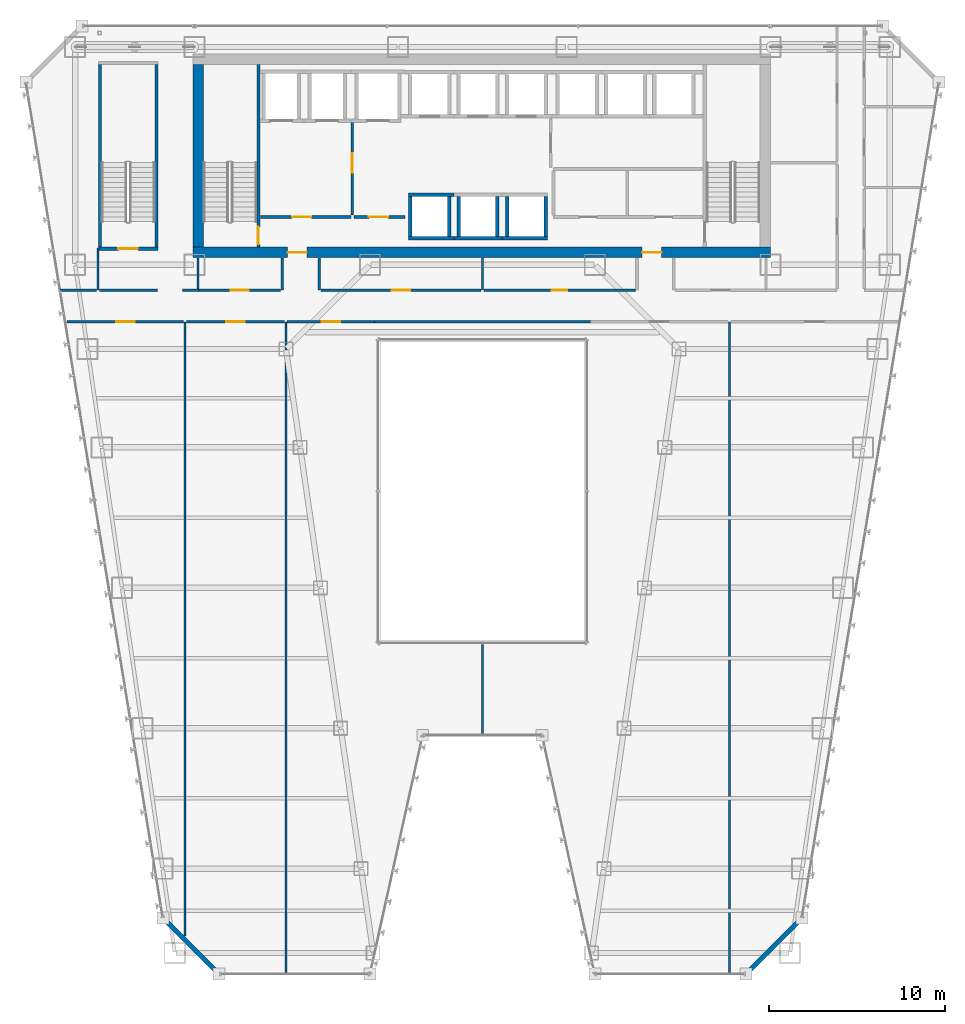
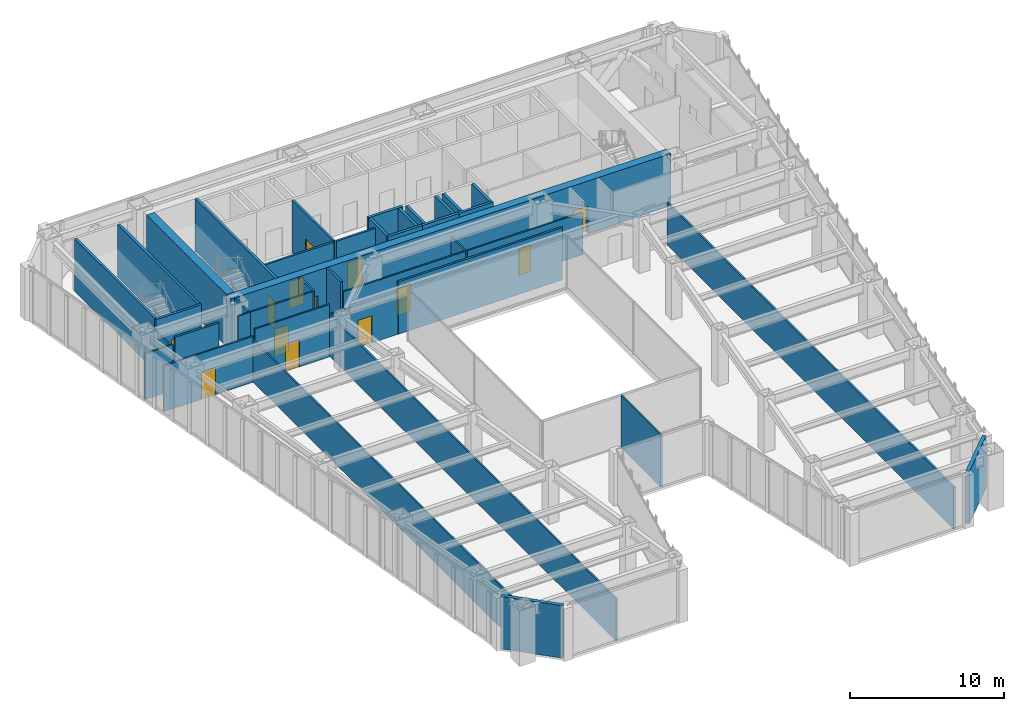
# One storey, part 36 of 47: 40 walls, 13 doors, 13 openings.
"""IFC4 building model written with IfcOpenShell, lengths in metres."""

from ifc_helpers import new_model, si_unit, direction, frame, frame_2d, origin, place, context, subcontext, project, spatial, rectangle, extrude, material, layer, layer_set, type_object, element, fill, save


model = new_model("IFC4")

# Units and contexts
model_context = context("Model", 3, precision=1e-05, world=origin(), true_north=direction((0.0, 1.0)))
body_context = subcontext(model_context, "Body", "Model", "MODEL_VIEW")
ifc_project = project(units=[si_unit("LENGTHUNIT", "METRE"), si_unit("AREAUNIT", "SQUARE_METRE"), si_unit("VOLUMEUNIT", "CUBIC_METRE"), si_unit("PLANEANGLEUNIT", "RADIAN"), si_unit("MASSUNIT", "GRAM", prefix="KILO")], contexts=[model_context])

# Site, building, storey
site_placement = place(None, origin())
site = spatial("IfcSite", under=ifc_project, at=site_placement, CompositionType="ELEMENT")
building_placement = place(site_placement, origin())
building = spatial("IfcBuilding", under=site, at=building_placement, Name="Saevonmaru Cultural Tower", CompositionType="ELEMENT")
storey_placement = place(building_placement, frame((0.0, 0.0, 51.60009765625)))
storey = spatial("IfcBuildingStorey", under=building, at=storey_placement, Name="L10", CompositionType="ELEMENT", Elevation=51.60009765625)

# Wall, openings, doors
ifc_material_1 = material(Name="Concrete C60/75", Category="concrete")
ifc_layer_1 = layer(ifc_material_1, 0.60009765625, Name="Concrete C60/75")
ifc_layer_set_1 = layer_set([ifc_layer_1], Name="Concrete C60/75")
wall_type_1 = type_object("IfcWallType", Name="WL-CORE-600", PredefinedType="SHEAR", material=ifc_layer_set_1)
wall_1_placement = place(storey_placement, frame((13.5, 43.10009765625, 0.0), z_axis=(0.0, 0.0, 1.0), x_axis=(1.0, 0.0, 0.0)))
wall_1 = element("IfcWall", 1, at=wall_1_placement, inside=storey, type_object=wall_type_1, Name="L10 Tower RC core shear wall S", PredefinedType="SHEAR", context=body_context, shape_type="SweptSolid", body=[
    extrude(rectangle(XDim=32.89990234375, YDim=0.60009765625, at=frame_2d((16.449951171875, 0.0))), origin(), (0.0, 0.0, 1.0), 4.14990234375),
])
opening_1_placement = place(wall_1_placement, frame((5.39990234375, 0.0, 0.0)))
opening_1 = element("IfcOpeningElement", 2, at=opening_1_placement, cuts=wall_1, Name="Opening FD-2", PredefinedType="OPENING", context=body_context, shape_type="SweptSolid", body=[
    extrude(rectangle(XDim=1.10009765625, YDim=2.14990234375, at=frame_2d((0.550048828125, 1.074951171875))), frame((0.0, 0.31005859375, 0.0), z_axis=(0.0, -1.0, 0.0), x_axis=(1.0, 0.0, 0.0)), (0.0, 0.0, 1.0), 0.6201171875),
])
opening_2_placement = place(wall_1_placement, frame((25.60009765625, 0.0, 0.0)))
opening_2 = element("IfcOpeningElement", 3, at=opening_2_placement, cuts=wall_1, Name="Opening FD-2", PredefinedType="OPENING", context=body_context, shape_type="SweptSolid", body=[
    extrude(rectangle(XDim=1.10009765625, YDim=2.14990234375, at=frame_2d((0.550048828125, 1.074951171875))), frame((0.0, 0.31005859375, 0.0), z_axis=(0.0, -1.0, 0.0), x_axis=(1.0, 0.0, 0.0)), (0.0, 0.0, 1.0), 0.6201171875),
])
ifc_material_2 = material(Name="Satin Bronze Anodised Aluminium", Category="aluminium")
door_type_1 = type_object("IfcDoorType", Name="DR-FD60-1100", OperationType="SINGLE_SWING_LEFT", PredefinedType="DOOR", material=ifc_material_2)
door_1_placement = place(opening_1_placement, origin())
door_1 = element("IfcDoor", 4, at=door_1_placement, inside=storey, type_object=door_type_1, Name="L10 Core West Lobby Fire Door", OperationType="SINGLE_SWING_LEFT", OverallHeight=2.14990234375, OverallWidth=1.10009765625, PredefinedType="DOOR", context=body_context, shape_type="SweptSolid", body=[
    extrude(rectangle(XDim=1.10009765625, YDim=2.14990234375, at=frame_2d((0.550048828125, 1.074951171875))), frame((0.0, 0.02490234375, 0.0), z_axis=(0.0, -1.0, 0.0), x_axis=(1.0, 0.0, 0.0)), (0.0, 0.0, 1.0), 0.050048828125),
])
fill(opening_1, door_1)
door_2_placement = place(opening_2_placement, origin())
door_2 = element("IfcDoor", 5, at=door_2_placement, inside=storey, type_object=door_type_1, Name="L10 Core East Lobby Fire Door", OperationType="SINGLE_SWING_LEFT", OverallHeight=2.14990234375, OverallWidth=1.10009765625, PredefinedType="DOOR", context=body_context, shape_type="SweptSolid", body=[
    extrude(rectangle(XDim=1.10009765625, YDim=2.14990234375, at=frame_2d((0.550048828125, 1.074951171875))), frame((0.0, 0.02490234375, 0.0), z_axis=(0.0, -1.0, 0.0), x_axis=(1.0, 0.0, 0.0)), (0.0, 0.0, 1.0), 0.050048828125),
])
fill(opening_2, door_2)

# Wall
wall_2_placement = place(storey_placement, frame((13.800048828125, 43.39990234375, 0.0), z_axis=(0.0, 0.0, 1.0), x_axis=(0.0, 1.0, 0.0)))
element("IfcWall", 6, at=wall_2_placement, inside=storey, type_object=wall_type_1, Name="L10 Tower RC core shear wall W", PredefinedType="SHEAR", context=body_context, shape_type="SweptSolid", body=[
    extrude(rectangle(XDim=10.400146484375, YDim=0.60009765625, at=frame_2d((5.2001953125, 0.0))), origin(), (0.0, 0.0, 1.0), 4.14990234375),
])

# Wall, opening, door
ifc_material_3 = material(Name="Gypsum Fireboard Partition", Category="gypsum")
ifc_layer_2 = layer(ifc_material_3, 0.14990234375, Name="Gypsum Fireboard Partition")
ifc_layer_set_2 = layer_set([ifc_layer_2], Name="Gypsum Fireboard Partition")
wall_type_2 = type_object("IfcWallType", Name="WL-CORE-PART-150", PredefinedType="PARTITIONING", material=ifc_layer_set_2)
wall_3_placement = place(storey_placement, frame((17.360107421875, 45.1201171875, 0.0), z_axis=(0.0, 0.0, 1.0), x_axis=(1.0, 0.0, 0.0)))
wall_3 = element("IfcWall", 7, at=wall_3_placement, inside=storey, type_object=wall_type_2, Name="L10 Firefighting Lift Lobby South Wall", PredefinedType="PARTITIONING", context=body_context, shape_type="SweptSolid", body=[
    extrude(rectangle(XDim=5.139892578125, YDim=0.14990234375, at=frame_2d((2.56982421875, 0.0))), origin(), (0.0, 0.0, 1.0), 4.14990234375),
])
opening_3_placement = place(wall_3_placement, frame((1.800048828125, 0.0, 0.0)))
opening_3 = element("IfcOpeningElement", 8, at=opening_3_placement, cuts=wall_3, Name="Opening FD-2", PredefinedType="OPENING", context=body_context, shape_type="SweptSolid", body=[
    extrude(rectangle(XDim=1.10009765625, YDim=2.14990234375, at=frame_2d((0.550048828125, 1.074951171875))), frame((0.0, 0.0849609375, 0.0), z_axis=(0.0, -1.0, 0.0), x_axis=(1.0, 0.0, 0.0)), (0.0, 0.0, 1.0), 0.169921875),
])
door_3_placement = place(opening_3_placement, origin())
door_3 = element("IfcDoor", 9, at=door_3_placement, inside=storey, type_object=door_type_1, Name="L10 Firefighting Lift Lobby South Door", OperationType="SINGLE_SWING_LEFT", OverallHeight=2.14990234375, OverallWidth=1.10009765625, PredefinedType="DOOR", context=body_context, shape_type="SweptSolid", body=[
    extrude(rectangle(XDim=1.10009765625, YDim=2.14990234375, at=frame_2d((0.550048828125, 1.074951171875))), frame((0.0, 0.02490234375, 0.0), z_axis=(0.0, -1.0, 0.0), x_axis=(1.0, 0.0, 0.0)), (0.0, 0.0, 1.0), 0.050048828125),
])
fill(opening_3, door_3)

wall_4_placement = place(storey_placement, frame((22.580078125, 50.550048828125, 0.0), z_axis=(0.0, 0.0, 1.0), x_axis=(0.0, -1.0, 0.0)))
wall_4 = element("IfcWall", 10, at=wall_4_placement, inside=storey, type_object=wall_type_2, Name="L10 Firefighting Lift Lobby East Wall", PredefinedType="PARTITIONING", context=body_context, shape_type="SweptSolid", body=[
    extrude(rectangle(XDim=5.330078125, YDim=0.14990234375, at=frame_2d((2.6650390625, 0.0))), origin(), (0.0, 0.0, 1.0), 4.14990234375),
])
opening_4_placement = place(wall_4_placement, frame((1.800048828125, 0.0, 0.0)))
opening_4 = element("IfcOpeningElement", 11, at=opening_4_placement, cuts=wall_4, Name="Opening FD-2", PredefinedType="OPENING", context=body_context, shape_type="SweptSolid", body=[
    extrude(rectangle(XDim=1.10009765625, YDim=2.14990234375, at=frame_2d((0.550048828125, 1.074951171875))), frame((0.0, 0.0849609375, 0.0), z_axis=(0.0, -1.0, 0.0), x_axis=(1.0, 0.0, 0.0)), (0.0, 0.0, 1.0), 0.169921875),
])
door_4_placement = place(opening_4_placement, origin())
door_4 = element("IfcDoor", 12, at=door_4_placement, inside=storey, type_object=door_type_1, Name="L10 Firefighting Lift Lobby East Door", OperationType="SINGLE_SWING_LEFT", OverallHeight=2.14990234375, OverallWidth=1.10009765625, PredefinedType="DOOR", context=body_context, shape_type="SweptSolid", body=[
    extrude(rectangle(XDim=1.10009765625, YDim=2.14990234375, at=frame_2d((0.550048828125, 1.074951171875))), frame((0.0, 0.02490234375, 0.0), z_axis=(0.0, -1.0, 0.0), x_axis=(1.0, 0.0, 0.0)), (0.0, 0.0, 1.0), 0.050048828125),
])
fill(opening_4, door_4)

wall_5_placement = place(storey_placement, frame((22.679931640625, 45.1201171875, 0.0), z_axis=(0.0, 0.0, 1.0), x_axis=(1.0, 0.0, 0.0)))
wall_5 = element("IfcWall", 13, at=wall_5_placement, inside=storey, type_object=wall_type_2, Name="L10 Service Lift Vestibule Wall", PredefinedType="PARTITIONING", context=body_context, shape_type="SweptSolid", body=[
    extrude(rectangle(XDim=2.920166015625, YDim=0.14990234375, at=frame_2d((1.4599609375, 0.0))), origin(), (0.0, 0.0, 1.0), 4.14990234375),
])
opening_5_placement = place(wall_5_placement, frame((0.85009765625, 0.0, 0.0)))
opening_5 = element("IfcOpeningElement", 14, at=opening_5_placement, cuts=wall_5, Name="Opening FD-2", PredefinedType="OPENING", context=body_context, shape_type="SweptSolid", body=[
    extrude(rectangle(XDim=1.10009765625, YDim=2.14990234375, at=frame_2d((0.550048828125, 1.074951171875))), frame((0.0, 0.0849609375, 0.0), z_axis=(0.0, -1.0, 0.0), x_axis=(1.0, 0.0, 0.0)), (0.0, 0.0, 1.0), 0.169921875),
])
door_5_placement = place(opening_5_placement, origin())
door_5 = element("IfcDoor", 15, at=door_5_placement, inside=storey, type_object=door_type_1, Name="L10 Service Lift Vestibule Door", OperationType="SINGLE_SWING_LEFT", OverallHeight=2.14990234375, OverallWidth=1.10009765625, PredefinedType="DOOR", context=body_context, shape_type="SweptSolid", body=[
    extrude(rectangle(XDim=1.10009765625, YDim=2.14990234375, at=frame_2d((0.550048828125, 1.074951171875))), frame((0.0, 0.02490234375, 0.0), z_axis=(0.0, -1.0, 0.0), x_axis=(1.0, 0.0, 0.0)), (0.0, 0.0, 1.0), 0.050048828125),
])
fill(opening_5, door_5)

# Walls
ifc_material_4 = material(Name="Granite-Clad Precast Concrete C40/50", Category="masonry")
ifc_layer_3 = layer(ifc_material_4, 0.260009765625, Name="Granite-Clad Precast Concrete C40/50")
ifc_layer_set_3 = layer_set([ifc_layer_3], Name="Granite-Clad Precast Concrete C40/50")
wall_type_3 = type_object("IfcWallType", Name="WL-EXT-SPANDREL-260", PredefinedType="STANDARD", material=ifc_layer_set_3)
for number, where, z_axis, x_axis, name in (
    (16, (11.9130859375, 5.0869140625, 0.0), (0.0, 0.0, 1.0), (0.707106781187, -0.707106781187, 0.0), "L10 Chamfer Corner Spandrel Wall E1"),
    (17, (45.113037109375, 2.113037109375, 0.0), (0.0, 0.0, 1.0), (0.707106781187, 0.707106781187, 0.0), "L10 Chamfer Corner Spandrel Wall E7"),
):
    element("IfcWall", number, at=place(storey_placement, frame(where, z_axis=z_axis, x_axis=x_axis)), inside=storey, type_object=wall_type_3, Name=name, PredefinedType="STANDARD", context=body_context, shape_type="SweptSolid", body=[
        extrude(rectangle(XDim=4.205810546875, YDim=0.260009765625, at=frame_2d((2.10302734375, 0.0))), origin(), (0.0, 0.0, 1.0), 4.14990234375),
    ])
ifc_layer_4 = layer(ifc_material_3, 0.14990234375, Name="Gypsum Fireboard Partition")
ifc_layer_set_4 = layer_set([ifc_layer_4], Name="Gypsum Fireboard Partition")
wall_type_4 = type_object("IfcWallType", Name="WL-PART-FIRE-150", PredefinedType="PARTITIONING", material=ifc_layer_set_4)
wall_6_placement = place(storey_placement, frame((8.179931640625, 40.949951171875, 0.0), z_axis=(0.0, 0.0, 1.0), x_axis=(1.0, 0.0, 0.0)))
element("IfcWall", 18, at=wall_6_placement, inside=storey, type_object=wall_type_4, Name="L10 Stair ST-3 South Vestibule Wall", PredefinedType="PARTITIONING", context=body_context, shape_type="SweptSolid", body=[
    extrude(rectangle(XDim=3.300048828125, YDim=0.14990234375, at=frame_2d((1.64990234375, 0.0))), origin(), (0.0, 0.0, 1.0), 4.14990234375),
])
for number, where, z_axis, x_axis, name in (
    (19, (18.60009765625, 40.949951171875, 0.0), (0.0, 0.0, 1.0), (0.0, 1.0, 0.0), "L10 Core Portal Side Wall W1"),
    (20, (20.699951171875, 40.949951171875, 0.0), (0.0, 0.0, 1.0), (0.0, 1.0, 0.0), "L10 Core Portal Side Wall W2"),
):
    element("IfcWall", number, at=place(storey_placement, frame(where, z_axis=z_axis, x_axis=x_axis)), inside=storey, type_object=wall_type_4, Name=name, PredefinedType="PARTITIONING", context=body_context, shape_type="SweptSolid", body=[
        extrude(rectangle(XDim=1.830078125, YDim=0.14990234375, at=frame_2d((0.9150390625, 0.0))), origin(), (0.0, 0.0, 1.0), 4.14990234375),
    ])
wall_7_placement = place(storey_placement, frame((23.85009765625, 39.14990234375, 0.0), z_axis=(0.0, 0.0, 1.0), x_axis=(1.0, 0.0, 0.0)))
element("IfcWall", 21, at=wall_7_placement, inside=storey, type_object=wall_type_4, Name="L10 North Atrium Corridor Wall", PredefinedType="PARTITIONING", context=body_context, shape_type="SweptSolid", body=[
    extrude(rectangle(XDim=12.2998046875, YDim=0.14990234375, at=frame_2d((6.14990234375, 0.0))), origin(), (0.0, 0.0, 1.0), 4.14990234375),
])
ifc_layer_5 = layer(ifc_material_3, 0.1201171875, Name="Gypsum Fireboard Partition")
ifc_layer_set_5 = layer_set([ifc_layer_5], Name="Gypsum Fireboard Partition")
wall_type_5 = type_object("IfcWallType", Name="WL-PART-GYP-120", PredefinedType="PARTITIONING", material=ifc_layer_set_5)
wall_8_placement = place(storey_placement, frame((12.919921875, 40.949951171875, 0.0), z_axis=(0.0, 0.0, 1.0), x_axis=(1.0, 0.0, 0.0)))
element("IfcWall", 22, at=wall_8_placement, inside=storey, type_object=wall_type_5, Name="L10 NW Inner South Wall", PredefinedType="PARTITIONING", context=body_context, shape_type="SweptSolid", body=[
    extrude(rectangle(XDim=0.93017578125, YDim=0.1201171875, at=frame_2d((0.465087890625, 0.0))), origin(), (0.0, 0.0, 1.0), 4.14990234375),
])
wall_9_placement = place(storey_placement, frame((13.800048828125, 41.030029296875, 0.0), z_axis=(0.0, 0.0, 1.0), x_axis=(0.0, 1.0, 0.0)))
element("IfcWall", 23, at=wall_9_placement, inside=storey, type_object=wall_type_5, Name="L10 NW Inner Core Return", PredefinedType="PARTITIONING", context=body_context, shape_type="SweptSolid", body=[
    extrude(rectangle(XDim=1.75, YDim=0.1201171875, at=frame_2d((0.875, 0.0))), origin(), (0.0, 0.0, 1.0), 4.14990234375),
])
wall_10_placement = place(storey_placement, frame((8.10009765625, 40.949951171875, 0.0), z_axis=(0.0, 0.0, 1.0), x_axis=(0.0, 1.0, 0.0)))
element("IfcWall", 24, at=wall_10_placement, inside=storey, type_object=wall_type_5, Name="L10 NW Stair Return", PredefinedType="PARTITIONING", context=body_context, shape_type="SweptSolid", body=[
    extrude(rectangle(XDim=2.400146484375, YDim=0.1201171875, at=frame_2d((1.2001953125, 0.0))), origin(), (0.0, 0.0, 1.0), 3.3349609375),
])
wall_11_placement = place(storey_placement, frame((5.947021484375, 40.949951171875, 0.0), z_axis=(0.0, 0.0, 1.0), x_axis=(1.0, 0.0, 0.0)))
element("IfcWall", 25, at=wall_11_placement, inside=storey, type_object=wall_type_5, Name="L10 Cartographic Study Library Corridor Wall", PredefinedType="PARTITIONING", context=body_context, shape_type="SweptSolid", body=[
    extrude(rectangle(XDim=2.072998046875, YDim=0.1201171875, at=frame_2d((1.03662109375, 0.0))), origin(), (0.0, 0.0, 1.0), 3.635009765625),
])

# Wall, opening, door
wall_12_placement = place(storey_placement, frame((13.85009765625, 40.949951171875, 0.0), z_axis=(0.0, 0.0, 1.0), x_axis=(1.0, 0.0, 0.0)))
wall_12 = element("IfcWall", 26, at=wall_12_placement, inside=storey, type_object=wall_type_5, Name="L10 Rare Manuscript Reading Room Corridor Wall", PredefinedType="PARTITIONING", context=body_context, shape_type="SweptSolid", body=[
    extrude(rectangle(XDim=4.65478515625, YDim=0.1201171875, at=frame_2d((2.327392578125, 0.0))), origin(), (0.0, 0.0, 1.0), 4.14990234375),
])
opening_6_placement = place(wall_12_placement, frame((1.802001953125, 0.0, 0.0)))
opening_6 = element("IfcOpeningElement", 27, at=opening_6_placement, cuts=wall_12, Name="Opening ID-1", PredefinedType="OPENING", context=body_context, shape_type="SweptSolid", body=[
    extrude(rectangle(XDim=1.050048828125, YDim=2.14990234375, at=frame_2d((0.52490234375, 1.074951171875))), frame((0.0, 0.070068359375, 0.0), z_axis=(0.0, -1.0, 0.0), x_axis=(1.0, 0.0, 0.0)), (0.0, 0.0, 1.0), 0.14013671875),
])
door_type_2 = type_object("IfcDoorType", Name="DR-INT-1050", OperationType="SINGLE_SWING_LEFT", PredefinedType="DOOR", material=ifc_material_2)
door_6_placement = place(opening_6_placement, origin())
door_6 = element("IfcDoor", 28, at=door_6_placement, inside=storey, type_object=door_type_2, Name="L10 Rare Manuscript Reading Room Door", OperationType="SINGLE_SWING_LEFT", OverallHeight=2.14990234375, OverallWidth=1.050048828125, PredefinedType="DOOR", context=body_context, shape_type="SweptSolid", body=[
    extrude(rectangle(XDim=1.050048828125, YDim=2.14990234375, at=frame_2d((0.52490234375, 1.074951171875))), frame((0.0, 0.02490234375, 0.0), z_axis=(0.0, -1.0, 0.0), x_axis=(1.0, 0.0, 0.0)), (0.0, 0.0, 1.0), 0.050048828125),
])
fill(opening_6, door_6)

# Wall
wall_13_placement = place(storey_placement, frame((30.0, 40.949951171875, 0.0), z_axis=(0.0, 0.0, 1.0), x_axis=(0.0, 1.0, 0.0)))
element("IfcWall", 29, at=wall_13_placement, inside=storey, type_object=wall_type_5, Name="L10 Spine Alcove Split", PredefinedType="PARTITIONING", context=body_context, shape_type="SweptSolid", body=[
    extrude(rectangle(XDim=1.830078125, YDim=0.1201171875, at=frame_2d((0.9150390625, 0.0))), origin(), (0.0, 0.0, 1.0), 3.3349609375),
])

# Wall, opening, door
wall_14_placement = place(storey_placement, frame((20.794921875, 40.949951171875, 0.0), z_axis=(0.0, 0.0, 1.0), x_axis=(1.0, 0.0, 0.0)))
wall_14 = element("IfcWall", 30, at=wall_14_placement, inside=storey, type_object=wall_type_5, Name="L10 Rare Manuscript Reading Room Corridor Wall", PredefinedType="PARTITIONING", context=body_context, shape_type="SweptSolid", body=[
    extrude(rectangle(XDim=9.125, YDim=0.1201171875, at=frame_2d((4.5625, 0.0))), origin(), (0.0, 0.0, 1.0), 3.3349609375),
])
opening_7_placement = place(wall_14_placement, frame((4.037109375, 0.0, 0.0)))
opening_7 = element("IfcOpeningElement", 31, at=opening_7_placement, cuts=wall_14, Name="Opening ID-1", PredefinedType="OPENING", context=body_context, shape_type="SweptSolid", body=[
    extrude(rectangle(XDim=1.050048828125, YDim=2.14990234375, at=frame_2d((0.52490234375, 1.074951171875))), frame((0.0, 0.070068359375, 0.0), z_axis=(0.0, -1.0, 0.0), x_axis=(1.0, 0.0, 0.0)), (0.0, 0.0, 1.0), 0.14013671875),
])
door_7_placement = place(opening_7_placement, origin())
door_7 = element("IfcDoor", 32, at=door_7_placement, inside=storey, type_object=door_type_2, Name="L10 Rare Manuscript Reading Room Door", OperationType="SINGLE_SWING_RIGHT", OverallHeight=2.14990234375, OverallWidth=1.050048828125, PredefinedType="DOOR", context=body_context, shape_type="SweptSolid", body=[
    extrude(rectangle(XDim=1.050048828125, YDim=2.14990234375, at=frame_2d((0.52490234375, 1.074951171875))), frame((0.0, 0.02490234375, 0.0), z_axis=(0.0, -1.0, 0.0), x_axis=(1.0, 0.0, 0.0)), (0.0, 0.0, 1.0), 0.050048828125),
])
fill(opening_7, door_7)

wall_15_placement = place(storey_placement, frame((30.080078125, 40.949951171875, 0.0), z_axis=(0.0, 0.0, 1.0), x_axis=(1.0, 0.0, 0.0)))
wall_15 = element("IfcWall", 33, at=wall_15_placement, inside=storey, type_object=wall_type_5, Name="L10 Scholarly Colloquium Meeting Room Corridor Wall", PredefinedType="PARTITIONING", context=body_context, shape_type="SweptSolid", body=[
    extrude(rectangle(XDim=8.625, YDim=0.1201171875, at=frame_2d((4.3125, 0.0))), origin(), (0.0, 0.0, 1.0), 3.3349609375),
])
opening_8_placement = place(wall_15_placement, frame((3.862060546875, 0.0, 0.0)))
opening_8 = element("IfcOpeningElement", 34, at=opening_8_placement, cuts=wall_15, Name="Opening ID-2", PredefinedType="OPENING", context=body_context, shape_type="SweptSolid", body=[
    extrude(rectangle(XDim=0.89990234375, YDim=2.10009765625, at=frame_2d((0.449951171875, 1.050048828125))), frame((0.0, 0.070068359375, 0.0), z_axis=(0.0, -1.0, 0.0), x_axis=(1.0, 0.0, 0.0)), (0.0, 0.0, 1.0), 0.14013671875),
])
ifc_material_5 = material(Name="Acoustic Stained Oak Timber", Category="wood")
door_type_3 = type_object("IfcDoorType", Name="DR-INT-900", OperationType="SINGLE_SWING_RIGHT", PredefinedType="DOOR", material=ifc_material_5)
door_8_placement = place(opening_8_placement, origin())
door_8 = element("IfcDoor", 35, at=door_8_placement, inside=storey, type_object=door_type_3, Name="L10 Scholarly Colloquium Meeting Room Door", OperationType="SINGLE_SWING_LEFT", OverallHeight=2.10009765625, OverallWidth=0.89990234375, PredefinedType="DOOR", context=body_context, shape_type="SweptSolid", body=[
    extrude(rectangle(XDim=0.89990234375, YDim=2.10009765625, at=frame_2d((0.449951171875, 1.050048828125))), frame((0.0, 0.02490234375, 0.0), z_axis=(0.0, -1.0, 0.0), x_axis=(1.0, 0.0, 0.0)), (0.0, 0.0, 1.0), 0.050048828125),
])
fill(opening_8, door_8)

# Walls
wall_16_placement = place(storey_placement, frame((13.06005859375, 4.152099609375, 0.0), z_axis=(0.0, 0.0, 1.0), x_axis=(0.0, 1.0, 0.0)))
element("IfcWall", 36, at=wall_16_placement, inside=storey, type_object=wall_type_5, Name="L10 West Bay Divider 1", PredefinedType="PARTITIONING", context=body_context, shape_type="SweptSolid", body=[
    extrude(rectangle(XDim=34.997802734375, YDim=0.1201171875, at=frame_2d((17.4990234375, 0.0))), origin(), (0.0, 0.0, 1.0), 3.3349609375),
])
wall_17_placement = place(storey_placement, frame((18.800048828125, 2.0048828125, 0.0), z_axis=(0.0, 0.0, 1.0), x_axis=(0.0, 1.0, 0.0)))
element("IfcWall", 37, at=wall_17_placement, inside=storey, type_object=wall_type_5, Name="L10 West Bay Divider 2", PredefinedType="PARTITIONING", context=body_context, shape_type="SweptSolid", body=[
    extrude(rectangle(XDim=37.14501953125, YDim=0.1201171875, at=frame_2d((18.572509765625, 0.0))), origin(), (0.0, 0.0, 1.0), 3.3349609375),
])
wall_18_placement = place(storey_placement, frame((30.0, 15.60498046875, 0.0), z_axis=(0.0, 0.0, 1.0), x_axis=(0.0, 1.0, 0.0)))
element("IfcWall", 38, at=wall_18_placement, inside=storey, type_object=wall_type_5, Name="L10 South Atrium Center Split", PredefinedType="PARTITIONING", context=body_context, shape_type="SweptSolid", body=[
    extrude(rectangle(XDim=5.175048828125, YDim=0.1201171875, at=frame_2d((2.58740234375, 0.0))), origin(), (0.0, 0.0, 1.0), 4.14990234375),
])

# Wall, opening, door
wall_19_placement = place(storey_placement, frame((6.333984375, 39.14990234375, 0.0), z_axis=(0.0, 0.0, 1.0), x_axis=(1.0, 0.0, 0.0)))
wall_19 = element("IfcWall", 39, at=wall_19_placement, inside=storey, type_object=wall_type_5, Name="L10 Rare Manuscript Reading Room Corridor Wall", PredefinedType="PARTITIONING", context=body_context, shape_type="SweptSolid", body=[
    extrude(rectangle(XDim=6.64599609375, YDim=0.1201171875, at=frame_2d((3.322998046875, 0.0))), origin(), (0.0, 0.0, 1.0), 3.635009765625),
])
opening_9_placement = place(wall_19_placement, frame((2.798095703125, 0.0, 0.0)))
opening_9 = element("IfcOpeningElement", 40, at=opening_9_placement, cuts=wall_19, Name="Opening ID-1", PredefinedType="OPENING", context=body_context, shape_type="SweptSolid", body=[
    extrude(rectangle(XDim=1.050048828125, YDim=2.14990234375, at=frame_2d((0.52490234375, 1.074951171875))), frame((0.0, 0.070068359375, 0.0), z_axis=(0.0, -1.0, 0.0), x_axis=(1.0, 0.0, 0.0)), (0.0, 0.0, 1.0), 0.14013671875),
])
door_9_placement = place(opening_9_placement, origin())
door_9 = element("IfcDoor", 41, at=door_9_placement, inside=storey, type_object=door_type_2, Name="L10 Rare Manuscript Reading Room Door", OperationType="SINGLE_SWING_LEFT", OverallHeight=2.14990234375, OverallWidth=1.050048828125, PredefinedType="DOOR", context=body_context, shape_type="SweptSolid", body=[
    extrude(rectangle(XDim=1.050048828125, YDim=2.14990234375, at=frame_2d((0.52490234375, 1.074951171875))), frame((0.0, 0.02490234375, 0.0), z_axis=(0.0, -1.0, 0.0), x_axis=(1.0, 0.0, 0.0)), (0.0, 0.0, 1.0), 0.050048828125),
])
fill(opening_9, door_9)

wall_20_placement = place(storey_placement, frame((13.139892578125, 39.14990234375, 0.0), z_axis=(0.0, 0.0, 1.0), x_axis=(1.0, 0.0, 0.0)))
wall_20 = element("IfcWall", 42, at=wall_20_placement, inside=storey, type_object=wall_type_5, Name="L10 Cartographic Study Library Corridor Wall", PredefinedType="PARTITIONING", context=body_context, shape_type="SweptSolid", body=[
    extrude(rectangle(XDim=5.580078125, YDim=0.1201171875, at=frame_2d((2.7900390625, 0.0))), origin(), (0.0, 0.0, 1.0), 4.14990234375),
])
opening_10_placement = place(wall_20_placement, frame((2.264892578125, 0.0, 0.0)))
opening_10 = element("IfcOpeningElement", 43, at=opening_10_placement, cuts=wall_20, Name="Opening ID-1", PredefinedType="OPENING", context=body_context, shape_type="SweptSolid", body=[
    extrude(rectangle(XDim=1.050048828125, YDim=2.14990234375, at=frame_2d((0.52490234375, 1.074951171875))), frame((0.0, 0.070068359375, 0.0), z_axis=(0.0, -1.0, 0.0), x_axis=(1.0, 0.0, 0.0)), (0.0, 0.0, 1.0), 0.14013671875),
])
door_10_placement = place(opening_10_placement, origin())
door_10 = element("IfcDoor", 44, at=door_10_placement, inside=storey, type_object=door_type_2, Name="L10 Cartographic Study Library Door", OperationType="SINGLE_SWING_RIGHT", OverallHeight=2.14990234375, OverallWidth=1.050048828125, PredefinedType="DOOR", context=body_context, shape_type="SweptSolid", body=[
    extrude(rectangle(XDim=1.050048828125, YDim=2.14990234375, at=frame_2d((0.52490234375, 1.074951171875))), frame((0.0, 0.02490234375, 0.0), z_axis=(0.0, -1.0, 0.0), x_axis=(1.0, 0.0, 0.0)), (0.0, 0.0, 1.0), 0.050048828125),
])
fill(opening_10, door_10)

wall_21_placement = place(storey_placement, frame((18.8798828125, 39.14990234375, 0.0), z_axis=(0.0, 0.0, 1.0), x_axis=(1.0, 0.0, 0.0)))
wall_21 = element("IfcWall", 45, at=wall_21_placement, inside=storey, type_object=wall_type_5, Name="L10 Periodical Reading Room Corridor Wall", PredefinedType="PARTITIONING", context=body_context, shape_type="SweptSolid", body=[
    extrude(rectangle(XDim=4.97021484375, YDim=0.1201171875, at=frame_2d((2.485107421875, 0.0))), origin(), (0.0, 0.0, 1.0), 3.3349609375),
])
opening_11_placement = place(wall_21_placement, frame((1.9599609375, 0.0, 0.0)))
opening_11 = element("IfcOpeningElement", 46, at=opening_11_placement, cuts=wall_21, Name="Opening ID-1", PredefinedType="OPENING", context=body_context, shape_type="SweptSolid", body=[
    extrude(rectangle(XDim=1.050048828125, YDim=2.14990234375, at=frame_2d((0.52490234375, 1.074951171875))), frame((0.0, 0.070068359375, 0.0), z_axis=(0.0, -1.0, 0.0), x_axis=(1.0, 0.0, 0.0)), (0.0, 0.0, 1.0), 0.14013671875),
])
door_11_placement = place(opening_11_placement, origin())
door_11 = element("IfcDoor", 47, at=door_11_placement, inside=storey, type_object=door_type_2, Name="L10 Periodical Reading Room Door", OperationType="SINGLE_SWING_LEFT", OverallHeight=2.14990234375, OverallWidth=1.050048828125, PredefinedType="DOOR", context=body_context, shape_type="SweptSolid", body=[
    extrude(rectangle(XDim=1.050048828125, YDim=2.14990234375, at=frame_2d((0.52490234375, 1.074951171875))), frame((0.0, 0.02490234375, 0.0), z_axis=(0.0, -1.0, 0.0), x_axis=(1.0, 0.0, 0.0)), (0.0, 0.0, 1.0), 0.050048828125),
])
fill(opening_11, door_11)

# Walls
ifc_layer_6 = layer(ifc_material_3, 0.135009765625, Name="Gypsum Fireboard Partition")
ifc_layer_set_6 = layer_set([ifc_layer_6], Name="Gypsum Fireboard Partition")
wall_type_6 = type_object("IfcWallType", Name="WL-PART-GYP-135", PredefinedType="PARTITIONING", material=ifc_layer_set_6)
wall_22_placement = place(storey_placement, frame((44.070068359375, 2.0048828125, 0.0), z_axis=(0.0, 0.0, 1.0), x_axis=(0.0, 1.0, 0.0)))
element("IfcWall", 48, at=wall_22_placement, inside=storey, type_object=wall_type_6, Name="L10 East Bay Divider 1", PredefinedType="PARTITIONING", context=body_context, shape_type="SweptSolid", body=[
    extrude(rectangle(XDim=37.14501953125, YDim=0.135009765625, at=frame_2d((18.572509765625, 0.0))), origin(), (0.0, 0.0, 1.0), 3.3349609375),
])
ifc_material_6 = material(Name="Concrete C40/50", Category="concrete")
ifc_layer_7 = layer(ifc_material_6, 0.199951171875, Name="Concrete C40/50")
ifc_layer_set_7 = layer_set([ifc_layer_7], Name="Concrete C40/50")
wall_type_7 = type_object("IfcWallType", Name="WL-SHAFT-200", PredefinedType="SHEAR", material=ifc_layer_set_7)
for number, where, z_axis, x_axis, name in (
    (49, (25.800048828125, 43.89990234375, 0.0), (0.0, 0.0, 1.0), (1.0, 0.0, 0.0), "L10 Lift PL-M1 Hoistway Wall S"),
    (50, (25.800048828125, 46.39990234375, 0.0), (0.0, 0.0, 1.0), (1.0, 0.0, 0.0), "L10 Lift PL-M1 Hoistway Wall N"),
):
    element("IfcWall", number, at=place(storey_placement, frame(where, z_axis=z_axis, x_axis=x_axis)), inside=storey, type_object=wall_type_7, Name=name, PredefinedType="SHEAR", context=body_context, shape_type="SweptSolid", body=[
        extrude(rectangle(XDim=2.574951171875, YDim=0.199951171875, at=frame_2d((1.28759765625, 0.0))), origin(), (0.0, 0.0, 1.0), 4.14990234375),
    ])
for number, where, z_axis, x_axis, name in (
    (51, (25.89990234375, 44.0, 0.0), (0.0, 0.0, 1.0), (0.0, 1.0, 0.0), "L10 Lift PL-M1 Hoistway Wall W"),
    (52, (28.10009765625, 44.0, 0.0), (0.0, 0.0, 1.0), (0.0, 1.0, 0.0), "L10 Lift PL-M1 Hoistway Wall E"),
):
    element("IfcWall", number, at=place(storey_placement, frame(where, z_axis=z_axis, x_axis=x_axis)), inside=storey, type_object=wall_type_7, Name=name, PredefinedType="SHEAR", context=body_context, shape_type="SweptSolid", body=[
        extrude(rectangle(XDim=2.300048828125, YDim=0.199951171875, at=frame_2d((1.14990234375, 0.0))), origin(), (0.0, 0.0, 1.0), 4.14990234375),
    ])
wall_23_placement = place(storey_placement, frame((28.375, 43.89990234375, 0.0), z_axis=(0.0, 0.0, 1.0), x_axis=(1.0, 0.0, 0.0)))
element("IfcWall", 53, at=wall_23_placement, inside=storey, type_object=wall_type_7, Name="L10 Lift PL-M2 Hoistway Wall S", PredefinedType="SHEAR", context=body_context, shape_type="SweptSolid", body=[
    extrude(rectangle(XDim=2.75, YDim=0.199951171875, at=frame_2d((1.375, 0.0))), origin(), (0.0, 0.0, 1.0), 4.14990234375),
])
for number, where, z_axis, x_axis, name in (
    (54, (28.64990234375, 44.0, 0.0), (0.0, 0.0, 1.0), (0.0, 1.0, 0.0), "L10 Lift PL-M2 Hoistway Wall W"),
    (55, (30.85009765625, 44.0, 0.0), (0.0, 0.0, 1.0), (0.0, 1.0, 0.0), "L10 Lift PL-M2 Hoistway Wall E"),
):
    element("IfcWall", number, at=place(storey_placement, frame(where, z_axis=z_axis, x_axis=x_axis)), inside=storey, type_object=wall_type_7, Name=name, PredefinedType="SHEAR", context=body_context, shape_type="SweptSolid", body=[
        extrude(rectangle(XDim=2.300048828125, YDim=0.199951171875, at=frame_2d((1.14990234375, 0.0))), origin(), (0.0, 0.0, 1.0), 4.14990234375),
    ])
wall_24_placement = place(storey_placement, frame((31.125, 43.89990234375, 0.0), z_axis=(0.0, 0.0, 1.0), x_axis=(1.0, 0.0, 0.0)))
element("IfcWall", 56, at=wall_24_placement, inside=storey, type_object=wall_type_7, Name="L10 Lift PL-M3 Hoistway Wall S", PredefinedType="SHEAR", context=body_context, shape_type="SweptSolid", body=[
    extrude(rectangle(XDim=2.574951171875, YDim=0.199951171875, at=frame_2d((1.28759765625, 0.0))), origin(), (0.0, 0.0, 1.0), 4.14990234375),
])
for number, where, z_axis, x_axis, name in (
    (57, (31.39990234375, 44.0, 0.0), (0.0, 0.0, 1.0), (0.0, 1.0, 0.0), "L10 Lift PL-M3 Hoistway Wall W"),
    (58, (33.60009765625, 44.0, 0.0), (0.0, 0.0, 1.0), (0.0, 1.0, 0.0), "L10 Lift PL-M3 Hoistway Wall E"),
):
    element("IfcWall", number, at=place(storey_placement, frame(where, z_axis=z_axis, x_axis=x_axis)), inside=storey, type_object=wall_type_7, Name=name, PredefinedType="SHEAR", context=body_context, shape_type="SweptSolid", body=[
        extrude(rectangle(XDim=2.300048828125, YDim=0.199951171875, at=frame_2d((1.14990234375, 0.0))), origin(), (0.0, 0.0, 1.0), 4.14990234375),
    ])

# Wall, opening, door
ifc_layer_8 = layer(ifc_material_6, 0.179931640625, Name="Concrete C40/50")
ifc_layer_set_8 = layer_set([ifc_layer_8], Name="Concrete C40/50")
wall_type_8 = type_object("IfcWallType", Name="WL-STSHAFT-180", PredefinedType="SHEAR", material=ifc_layer_set_8)
wall_25_placement = place(storey_placement, frame((17.239990234375, 43.39990234375, 0.0), z_axis=(0.0, 0.0, 1.0), x_axis=(0.0, 1.0, 0.0)))
wall_25 = element("IfcWall", 59, at=wall_25_placement, inside=storey, type_object=wall_type_8, Name="L10 Stair ST-1 Structural Shaft Wall 1", PredefinedType="SHEAR", context=body_context, shape_type="SweptSolid", body=[
    extrude(rectangle(XDim=10.400146484375, YDim=0.179931640625, at=frame_2d((5.2001953125, 0.0))), origin(), (0.0, 0.0, 1.0), 4.14990234375),
])
opening_12_placement = place(wall_25_placement, frame((0.159912109375, 0.0, 0.0)))
opening_12 = element("IfcOpeningElement", 60, at=opening_12_placement, cuts=wall_25, Name="Opening FD-3", PredefinedType="OPENING", context=body_context, shape_type="SweptSolid", body=[
    extrude(rectangle(XDim=1.0, YDim=2.14990234375, at=frame_2d((0.5, 1.074951171875))), frame((0.0, 0.10009765625, 0.0), z_axis=(0.0, -1.0, 0.0), x_axis=(1.0, 0.0, 0.0)), (0.0, 0.0, 1.0), 0.199951171875),
])
door_type_4 = type_object("IfcDoorType", Name="DR-FD60-1000", OperationType="SINGLE_SWING_RIGHT", PredefinedType="DOOR", material=ifc_material_2)
door_12_placement = place(opening_12_placement, origin())
door_12 = element("IfcDoor", 61, at=door_12_placement, inside=storey, type_object=door_type_4, Name="L10 Protected Stair ST-1 Fire Door", OperationType="SINGLE_SWING_RIGHT", OverallHeight=2.14990234375, OverallWidth=1.0, PredefinedType="DOOR", context=body_context, shape_type="SweptSolid", body=[
    extrude(rectangle(XDim=1.0, YDim=2.14990234375, at=frame_2d((0.5, 1.074951171875))), frame((0.0, 0.02490234375, 0.0), z_axis=(0.0, -1.0, 0.0), x_axis=(1.0, 0.0, 0.0)), (0.0, 0.0, 1.0), 0.050048828125),
])
fill(opening_12, door_12)

wall_26_placement = place(storey_placement, frame((8.1201171875, 43.31005859375, 0.0), z_axis=(0.0, 0.0, 1.0), x_axis=(1.0, 0.0, 0.0)))
wall_26 = element("IfcWall", 62, at=wall_26_placement, inside=storey, type_object=wall_type_8, Name="L10 Stair ST-3 Structural Shaft Wall 1", PredefinedType="SHEAR", context=body_context, shape_type="SweptSolid", body=[
    extrude(rectangle(XDim=3.409912109375, YDim=0.179931640625, at=frame_2d((1.705078125, 0.0))), origin(), (0.0, 0.0, 1.0), 4.14990234375),
])
opening_13_placement = place(wall_26_placement, frame((1.14990234375, 0.0, 0.0)))
opening_13 = element("IfcOpeningElement", 63, at=opening_13_placement, cuts=wall_26, Name="Opening FD-2", PredefinedType="OPENING", context=body_context, shape_type="SweptSolid", body=[
    extrude(rectangle(XDim=1.10009765625, YDim=2.14990234375, at=frame_2d((0.550048828125, 1.074951171875))), frame((0.0, 0.10009765625, 0.0), z_axis=(0.0, -1.0, 0.0), x_axis=(1.0, 0.0, 0.0)), (0.0, 0.0, 1.0), 0.199951171875),
])
door_13_placement = place(opening_13_placement, origin())
door_13 = element("IfcDoor", 64, at=door_13_placement, inside=storey, type_object=door_type_1, Name="L10 Protected Stair ST-3 Fire Door", OperationType="SINGLE_SWING_LEFT", OverallHeight=2.14990234375, OverallWidth=1.10009765625, PredefinedType="DOOR", context=body_context, shape_type="SweptSolid", body=[
    extrude(rectangle(XDim=1.10009765625, YDim=2.14990234375, at=frame_2d((0.550048828125, 1.074951171875))), frame((0.0, 0.02490234375, 0.0), z_axis=(0.0, -1.0, 0.0), x_axis=(1.0, 0.0, 0.0)), (0.0, 0.0, 1.0), 0.050048828125),
])
fill(opening_13, door_13)

# Walls
for number, where, z_axis, x_axis, name in (
    (65, (11.43994140625, 43.39990234375, 0.0), (0.0, 0.0, 1.0), (0.0, 1.0, 0.0), "L10 Stair ST-3 Structural Shaft Wall 2"),
    (66, (8.2099609375, 53.800048828125, 0.0), (0.0, 0.0, 1.0), (0.0, -1.0, 0.0), "L10 Stair ST-3 Structural Shaft Wall 4"),
):
    element("IfcWall", number, at=place(storey_placement, frame(where, z_axis=z_axis, x_axis=x_axis)), inside=storey, type_object=wall_type_8, Name=name, PredefinedType="SHEAR", context=body_context, shape_type="SweptSolid", body=[
        extrude(rectangle(XDim=10.400146484375, YDim=0.179931640625, at=frame_2d((5.2001953125, 0.0))), origin(), (0.0, 0.0, 1.0), 4.14990234375),
    ])

save(model, "model.ifc")
